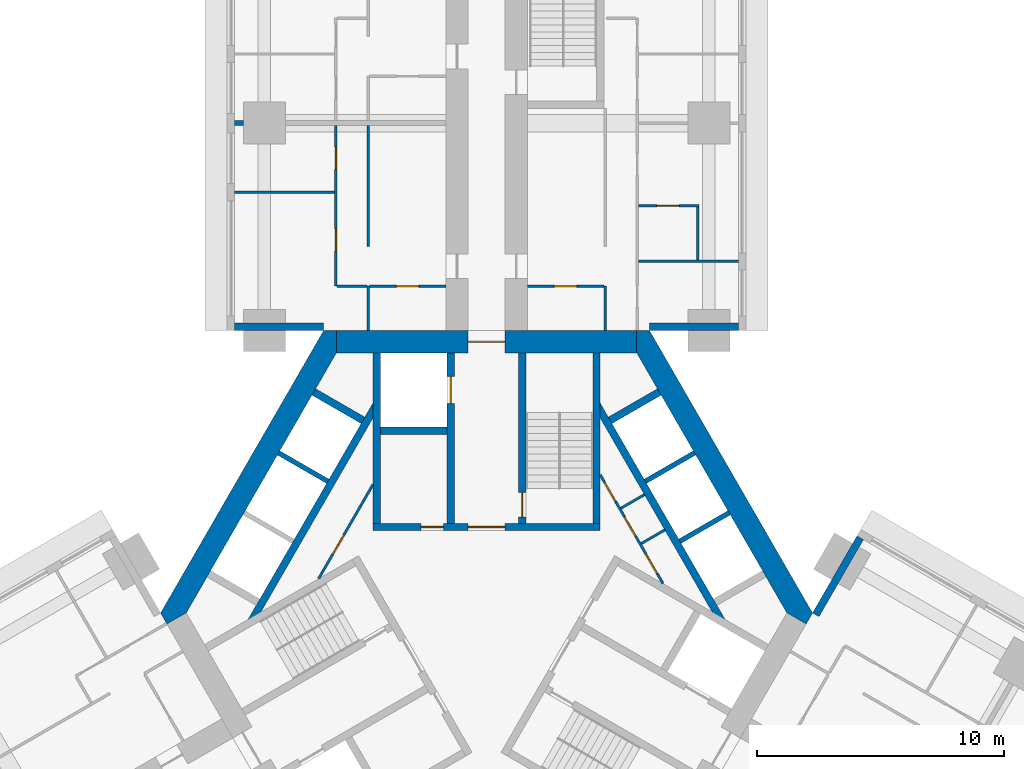
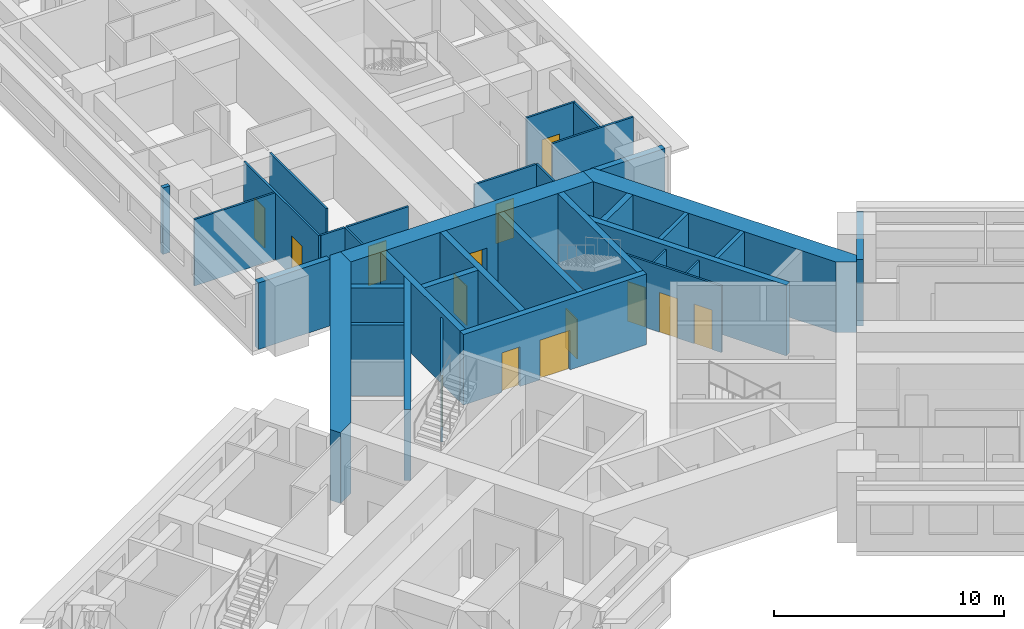
# One storey, part 8 of 16: 35 walls, 14 doors, 14 openings.
"""IFC4 building model written with IfcOpenShell, lengths in metres."""

from ifc_helpers import new_model, si_unit, direction, frame, frame_2d, origin, place, context, subcontext, project, spatial, polyline, rectangle, outline, extrude, material, layer, layer_set, type_object, element, fill, save


model = new_model("IFC4")

# Units and contexts
model_context = context("Model", 3, precision=1e-05, world=origin(), true_north=direction((0.0, 1.0)))
body_context = subcontext(model_context, "Body", "Model", "MODEL_VIEW")
ifc_project = project(units=[si_unit("LENGTHUNIT", "METRE"), si_unit("AREAUNIT", "SQUARE_METRE"), si_unit("VOLUMEUNIT", "CUBIC_METRE"), si_unit("PLANEANGLEUNIT", "RADIAN"), si_unit("MASSUNIT", "GRAM", prefix="KILO")], contexts=[model_context])

# Site, building, storey
site_placement = place(None, origin())
site = spatial("IfcSite", under=ifc_project, at=site_placement, CompositionType="ELEMENT")
building_placement = place(site_placement, origin())
building = spatial("IfcBuilding", under=site, at=building_placement, Name="Impinga Residences", CompositionType="ELEMENT")
storey_placement = place(building_placement, frame((0.0, 0.0, 48.5)))
storey = spatial("IfcBuildingStorey", under=building, at=storey_placement, Name="L11", CompositionType="ELEMENT", Elevation=48.5)

# Wall, openings, doors
ifc_material_1 = material(Name="Concrete blockwork", Category="masonry")
ifc_layer_1 = layer(ifc_material_1, 0.10009765625)
ifc_layer_set_1 = layer_set([ifc_layer_1], Name="CP1 core room partition, blockwork 100")
wall_type_1 = type_object("IfcWallType", Name="CP1 core room partition, blockwork 100", PredefinedType="PARTITIONING", material=ifc_layer_set_1)
wall_1_placement = place(storey_placement, frame((4.60009765625, 5.595703125, 0.0), z_axis=(0.0, 0.0, 1.0), x_axis=(0.499975622669, -0.866039477586, 0.0)))
wall_1 = element("IfcWall", 1, at=wall_1_placement, inside=storey, type_object=wall_type_1, Name="Core room partition, blockwork L11:CORE:mid:FP", PredefinedType="PARTITIONING", context=body_context, shape_type="SweptSolid", body=[
    extrude(rectangle(XDim=5.092041015625, YDim=0.10009765625, at=frame_2d((2.5458984375, 0.0))), origin(), (0.0, 0.0, 1.0), 3.530029296875),
])
opening_1_placement = place(wall_1_placement, frame((0.347900390625, 0.0, 0.0)))
opening_1 = element("IfcOpeningElement", 2, at=opening_1_placement, cuts=wall_1, Name="Opening D6", PredefinedType="OPENING", context=body_context, shape_type="SweptSolid", body=[
    extrude(rectangle(XDim=0.89990234375, YDim=2.10009765625, at=frame_2d((0.449951171875, 1.050048828125))), frame((0.0, 0.06005859375, 0.0), z_axis=(0.0, -1.0, 0.0), x_axis=(1.0, 0.0, 0.0)), (0.0, 0.0, 1.0), 0.1201171875),
])
opening_2_placement = place(wall_1_placement, frame((1.970947265625, 0.0, 0.0)))
opening_2 = element("IfcOpeningElement", 3, at=opening_2_placement, cuts=wall_1, Name="Opening D6", PredefinedType="OPENING", context=body_context, shape_type="SweptSolid", body=[
    extrude(rectangle(XDim=0.89990234375, YDim=2.10009765625, at=frame_2d((0.449951171875, 1.050048828125))), frame((0.0, 0.06005859375, 0.0), z_axis=(0.0, -1.0, 0.0), x_axis=(1.0, 0.0, 0.0)), (0.0, 0.0, 1.0), 0.1201171875),
])
opening_3_placement = place(wall_1_placement, frame((3.718994140625, 0.0, 0.0)))
opening_3 = element("IfcOpeningElement", 4, at=opening_3_placement, cuts=wall_1, Name="Opening D6", PredefinedType="OPENING", context=body_context, shape_type="SweptSolid", body=[
    extrude(rectangle(XDim=0.89990234375, YDim=2.10009765625, at=frame_2d((0.449951171875, 1.050048828125))), frame((0.0, 0.06005859375, 0.0), z_axis=(0.0, -1.0, 0.0), x_axis=(1.0, 0.0, 0.0)), (0.0, 0.0, 1.0), 0.1201171875),
])
ifc_material_2 = material(Name="Timber door set", Category="wood")
door_type_1 = type_object("IfcDoorType", Name="D6 riser and store door 900x2100", OperationType="SINGLE_SWING_LEFT", PredefinedType="DOOR", material=ifc_material_2)
door_1_placement = place(opening_1_placement, origin())
door_1 = element("IfcDoor", 5, at=door_1_placement, inside=storey, type_object=door_type_1, Name="Comms cupboard door", OperationType="SINGLE_SWING_LEFT", OverallHeight=2.10009765625, OverallWidth=0.89990234375, PredefinedType="DOOR", context=body_context, shape_type="SweptSolid", body=[
    extrude(rectangle(XDim=0.89990234375, YDim=2.10009765625, at=frame_2d((0.449951171875, 1.050048828125))), frame((0.0, 0.02490234375, 0.0), z_axis=(0.0, -1.0, 0.0), x_axis=(1.0, 0.0, 0.0)), (0.0, 0.0, 1.0), 0.050048828125),
])
fill(opening_1, door_1)
door_2_placement = place(opening_2_placement, origin())
door_2 = element("IfcDoor", 6, at=door_2_placement, inside=storey, type_object=door_type_1, Name="Refuse room door", OperationType="SINGLE_SWING_LEFT", OverallHeight=2.10009765625, OverallWidth=0.89990234375, PredefinedType="DOOR", context=body_context, shape_type="SweptSolid", body=[
    extrude(rectangle(XDim=0.89990234375, YDim=2.10009765625, at=frame_2d((0.449951171875, 1.050048828125))), frame((0.0, 0.02490234375, 0.0), z_axis=(0.0, -1.0, 0.0), x_axis=(1.0, 0.0, 0.0)), (0.0, 0.0, 1.0), 0.050048828125),
])
fill(opening_2, door_2)
door_3_placement = place(opening_3_placement, origin())
door_3 = element("IfcDoor", 7, at=door_3_placement, inside=storey, type_object=door_type_1, Name="Cleaners' store door", OperationType="SINGLE_SWING_RIGHT", OverallHeight=2.10009765625, OverallWidth=0.89990234375, PredefinedType="DOOR", context=body_context, shape_type="SweptSolid", body=[
    extrude(rectangle(XDim=0.89990234375, YDim=2.10009765625, at=frame_2d((0.449951171875, 1.050048828125))), frame((0.0, 0.02490234375, 0.0), z_axis=(0.0, -1.0, 0.0), x_axis=(1.0, 0.0, 0.0)), (0.0, 0.0, 1.0), 0.050048828125),
])
fill(opening_3, door_3)

# Walls
for number, where, z_axis, x_axis, name in (
    (8, (5.441162109375, 4.238525390625, 0.0), (0.0, 0.0, 1.0), (0.866008176907, 0.50002983664, 0.0), "Core room partition, blockwork L11:CORE:mid:FS1"),
    (9, (6.266357421875, 2.8095703125, 0.0), (0.0, 0.0, 1.0), (0.866008176907, 0.50002983664, 0.0), "Core room partition, blockwork L11:CORE:mid:FS2"),
):
    element("IfcWall", number, at=place(storey_placement, frame(where, z_axis=z_axis, x_axis=x_axis)), inside=storey, type_object=wall_type_1, Name=name, PredefinedType="PARTITIONING", context=body_context, shape_type="SweptSolid", body=[
        extrude(rectangle(XDim=1.10009765625, YDim=0.10009765625, at=frame_2d((0.550048828125, 0.0))), origin(), (0.0, 0.0, 1.0), 3.530029296875),
    ])

# Wall, opening, door
wall_2_placement = place(storey_placement, frame((-6.799560546875, 1.385986328125, 0.0), z_axis=(0.0, 0.0, 1.0), x_axis=(0.500001098885, 0.866024769342, 0.0)))
wall_2 = element("IfcWall", 10, at=wall_2_placement, inside=storey, type_object=wall_type_1, Name="Core room partition, blockwork L11:CORE:high:FP", PredefinedType="PARTITIONING", context=body_context, shape_type="SweptSolid", body=[
    extrude(rectangle(XDim=4.39892578125, YDim=0.10009765625, at=frame_2d((2.199462890625, 0.0))), origin(), (0.0, 0.0, 1.0), 3.530029296875),
])
opening_4_placement = place(wall_2_placement, frame((1.149658203125, 0.0, 0.0)))
opening_4 = element("IfcOpeningElement", 11, at=opening_4_placement, cuts=wall_2, Name="Opening D6", PredefinedType="OPENING", context=body_context, shape_type="SweptSolid", body=[
    extrude(rectangle(XDim=0.89990234375, YDim=2.10009765625, at=frame_2d((0.449951171875, 1.050048828125))), frame((0.0, 0.06005859375, 0.0), z_axis=(0.0, -1.0, 0.0), x_axis=(1.0, 0.0, 0.0)), (0.0, 0.0, 1.0), 0.1201171875),
])
door_4_placement = place(opening_4_placement, origin())
door_4 = element("IfcDoor", 12, at=door_4_placement, inside=storey, type_object=door_type_1, Name="Vending and ice room door", OperationType="SINGLE_SWING_LEFT", OverallHeight=2.10009765625, OverallWidth=0.89990234375, PredefinedType="DOOR", context=body_context, shape_type="SweptSolid", body=[
    extrude(rectangle(XDim=0.89990234375, YDim=2.10009765625, at=frame_2d((0.449951171875, 1.050048828125))), frame((0.0, 0.02490234375, 0.0), z_axis=(0.0, -1.0, 0.0), x_axis=(1.0, 0.0, 0.0)), (0.0, 0.0, 1.0), 0.050048828125),
])
fill(opening_4, door_4)

# Walls
ifc_material_3 = material(Name="Terracotta rainscreen on blockwork", Category="masonry")
ifc_layer_2 = layer(ifc_material_3, 0.300048828125)
ifc_layer_set_2 = layer_set([ifc_layer_2], Name="EW1 external wall, terracotta rainscreen on blockwork 300")
wall_type_2 = type_object("IfcWallType", Name="EW1 external wall, terracotta rainscreen on blockwork 300", PredefinedType="SOLIDWALL", material=ifc_layer_set_2)
for number, where, z_axis, x_axis, name in (
    (13, (-6.60009765625, 11.58154296875, 0.0), (0.0, 0.0, 1.0), (-1.0, 0.0, 0.0), "External wall EW1 L11"),
    (14, (10.199951171875, 11.58154296875, 0.0), (0.0, 0.0, 1.0), (-1.0, 0.0, 0.0), "External wall EW1 L11"),
):
    element("IfcWall", number, at=place(storey_placement, frame(where, z_axis=z_axis, x_axis=x_axis)), inside=storey, type_object=wall_type_2, Name=name, PredefinedType="SOLIDWALL", context=body_context, shape_type="SweptSolid", body=[
        extrude(rectangle(XDim=3.599853515625, YDim=0.300048828125, at=frame_2d((1.7998046875, 0.0))), origin(), (0.0, 0.0, 1.0), 3.530029296875),
    ])
wall_3_placement = place(storey_placement, frame((13.329833984375, -0.074951171875, 0.0), z_axis=(0.0, 0.0, 1.0), x_axis=(0.500012057535, 0.866018442252, 0.0)))
element("IfcWall", 15, at=wall_3_placement, inside=storey, type_object=wall_type_2, Name="External wall EW1 L11", PredefinedType="SOLIDWALL", context=body_context, shape_type="SweptSolid", body=[
    extrude(rectangle(XDim=3.60009765625, YDim=0.300048828125, at=frame_2d((1.800048828125, 0.0))), origin(), (0.0, 0.0, 1.0), 3.530029296875),
])
ifc_material_4 = material(Name="Gypsum board on steel studs", Category="steel")
ifc_layer_3 = layer(ifc_material_4, 0.10009765625)
ifc_layer_set_3 = layer_set([ifc_layer_3], Name="Gypsum board on steel studs")
wall_type_3 = type_object("IfcWallType", Name="IP1 partition 100", PredefinedType="PARTITIONING", material=ifc_layer_set_3)
wall_4_placement = place(storey_placement, frame((-4.800048828125, 11.431640625, 0.0), z_axis=(0.0, 0.0, 1.0), x_axis=(0.0, 1.0, 0.0)))
element("IfcWall", 16, at=wall_4_placement, inside=storey, type_object=wall_type_3, Name="Partition L11-NA1:DIV0", PredefinedType="PARTITIONING", context=body_context, shape_type="SweptSolid", body=[
    extrude(rectangle(XDim=1.7998046875, YDim=0.10009765625, at=frame_2d((0.89990234375, 0.0))), origin(), (0.0, 0.0, 1.0), 3.530029296875),
])
wall_5_placement = place(storey_placement, frame((-4.800048828125, 14.83154296875, 0.0), z_axis=(0.0, 0.0, 1.0), x_axis=(0.0, 1.0, 0.0)))
element("IfcWall", 17, at=wall_5_placement, inside=storey, type_object=wall_type_3, Name="Partition L11-NA1:DIV1", PredefinedType="PARTITIONING", context=body_context, shape_type="SweptSolid", body=[
    extrude(rectangle(XDim=4.89990234375, YDim=0.10009765625, at=frame_2d((2.449951171875, 0.0))), origin(), (0.0, 0.0, 1.0), 3.530029296875),
])

# Wall, openings, doors
wall_6_placement = place(storey_placement, frame((-6.10009765625, 13.2314453125, 0.0), z_axis=(0.0, 0.0, 1.0), x_axis=(0.0, 1.0, 0.0)))
wall_6 = element("IfcWall", 18, at=wall_6_placement, inside=storey, type_object=wall_type_3, Name="Partition L11-NA1:STRIP", PredefinedType="PARTITIONING", context=body_context, shape_type="SweptSolid", body=[
    extrude(rectangle(XDim=6.5, YDim=0.10009765625, at=frame_2d((3.25, 0.0))), origin(), (0.0, 0.0, 1.0), 3.530029296875),
])
opening_5_placement = place(wall_6_placement, frame((1.425048828125, 0.0, 0.0)))
opening_5 = element("IfcOpeningElement", 19, at=opening_5_placement, cuts=wall_6, Name="Opening D2", PredefinedType="OPENING", context=body_context, shape_type="SweptSolid", body=[
    extrude(rectangle(XDim=0.89990234375, YDim=2.10009765625, at=frame_2d((0.449951171875, 1.050048828125))), frame((0.0, 0.06005859375, 0.0), z_axis=(0.0, -1.0, 0.0), x_axis=(1.0, 0.0, 0.0)), (0.0, 0.0, 1.0), 0.1201171875),
])
opening_6_placement = place(wall_6_placement, frame((4.72509765625, 0.0, 0.0)))
opening_6 = element("IfcOpeningElement", 20, at=opening_6_placement, cuts=wall_6, Name="Opening D2", PredefinedType="OPENING", context=body_context, shape_type="SweptSolid", body=[
    extrude(rectangle(XDim=0.89990234375, YDim=2.10009765625, at=frame_2d((0.449951171875, 1.050048828125))), frame((0.0, 0.06005859375, 0.0), z_axis=(0.0, -1.0, 0.0), x_axis=(1.0, 0.0, 0.0)), (0.0, 0.0, 1.0), 0.1201171875),
])
door_type_2 = type_object("IfcDoorType", Name="D2 internal door 900x2100", OperationType="SINGLE_SWING_LEFT", PredefinedType="DOOR", material=ifc_material_2)
door_5_placement = place(opening_5_placement, origin())
door_5 = element("IfcDoor", 21, at=door_5_placement, inside=storey, type_object=door_type_2, Name="Apartment L11-NA1 room door", OperationType="SINGLE_SWING_LEFT", OverallHeight=2.10009765625, OverallWidth=0.89990234375, PredefinedType="DOOR", context=body_context, shape_type="SweptSolid", body=[
    extrude(rectangle(XDim=0.89990234375, YDim=2.10009765625, at=frame_2d((0.449951171875, 1.050048828125))), frame((0.0, 0.02490234375, 0.0), z_axis=(0.0, -1.0, 0.0), x_axis=(1.0, 0.0, 0.0)), (0.0, 0.0, 1.0), 0.050048828125),
])
fill(opening_5, door_5)
door_6_placement = place(opening_6_placement, origin())
door_6 = element("IfcDoor", 22, at=door_6_placement, inside=storey, type_object=door_type_2, Name="Apartment L11-NA1 room door", OperationType="SINGLE_SWING_RIGHT", OverallHeight=2.10009765625, OverallWidth=0.89990234375, PredefinedType="DOOR", context=body_context, shape_type="SweptSolid", body=[
    extrude(rectangle(XDim=0.89990234375, YDim=2.10009765625, at=frame_2d((0.449951171875, 1.050048828125))), frame((0.0, 0.02490234375, 0.0), z_axis=(0.0, -1.0, 0.0), x_axis=(1.0, 0.0, 0.0)), (0.0, 0.0, 1.0), 0.050048828125),
])
fill(opening_6, door_6)

# Wall
wall_7_placement = place(storey_placement, frame((-4.85009765625, 13.2314453125, 0.0), z_axis=(0.0, 0.0, 1.0), x_axis=(-1.0, 0.0, 0.0)))
element("IfcWall", 23, at=wall_7_placement, inside=storey, type_object=wall_type_3, Name="Partition L11-NA1:SE0", PredefinedType="PARTITIONING", context=body_context, shape_type="SweptSolid", body=[
    extrude(rectangle(XDim=1.199951171875, YDim=0.10009765625, at=frame_2d((0.60009765625, 0.0))), origin(), (0.0, 0.0, 1.0), 3.530029296875),
])

# Wall, opening, door
wall_8_placement = place(storey_placement, frame((-1.64990234375, 13.2314453125, 0.0), z_axis=(0.0, 0.0, 1.0), x_axis=(-1.0, 0.0, 0.0)))
wall_8 = element("IfcWall", 24, at=wall_8_placement, inside=storey, type_object=wall_type_3, Name="Partition L11-NA1:IB1", PredefinedType="PARTITIONING", context=body_context, shape_type="SweptSolid", body=[
    extrude(rectangle(XDim=3.10009765625, YDim=0.10009765625, at=frame_2d((1.550048828125, 0.0))), origin(), (0.0, 0.0, 1.0), 3.530029296875),
])
opening_7_placement = place(wall_8_placement, frame((1.10009765625, 0.0, 0.0)))
opening_7 = element("IfcOpeningElement", 25, at=opening_7_placement, cuts=wall_8, Name="Opening D2", PredefinedType="OPENING", context=body_context, shape_type="SweptSolid", body=[
    extrude(rectangle(XDim=0.89990234375, YDim=2.10009765625, at=frame_2d((0.449951171875, 1.050048828125))), frame((0.0, 0.06005859375, 0.0), z_axis=(0.0, -1.0, 0.0), x_axis=(1.0, 0.0, 0.0)), (0.0, 0.0, 1.0), 0.1201171875),
])
door_7_placement = place(opening_7_placement, origin())
door_7 = element("IfcDoor", 26, at=door_7_placement, inside=storey, type_object=door_type_2, Name="Apartment L11-NA1 bathroom door", OperationType="SINGLE_SWING_LEFT", OverallHeight=2.10009765625, OverallWidth=0.89990234375, PredefinedType="DOOR", context=body_context, shape_type="SweptSolid", body=[
    extrude(rectangle(XDim=0.89990234375, YDim=2.10009765625, at=frame_2d((0.449951171875, 1.050048828125))), frame((0.0, 0.02490234375, 0.0), z_axis=(0.0, -1.0, 0.0), x_axis=(1.0, 0.0, 0.0)), (0.0, 0.0, 1.0), 0.050048828125),
])
fill(opening_7, door_7)

# Walls
wall_9_placement = place(storey_placement, frame((-6.14990234375, 17.031494140625, 0.0), z_axis=(0.0, 0.0, 1.0), x_axis=(-1.0, 0.0, 0.0)))
element("IfcWall", 27, at=wall_9_placement, inside=storey, type_object=wall_type_3, Name="Partition L11-NA1:OB1", PredefinedType="PARTITIONING", context=body_context, shape_type="SweptSolid", body=[
    extrude(rectangle(XDim=4.050048828125, YDim=0.10009765625, at=frame_2d((2.02490234375, 0.0))), origin(), (0.0, 0.0, 1.0), 3.530029296875),
])
wall_10_placement = place(storey_placement, frame((4.800048828125, 11.431640625, 0.0), z_axis=(0.0, 0.0, 1.0), x_axis=(0.0, 1.0, 0.0)))
element("IfcWall", 28, at=wall_10_placement, inside=storey, type_object=wall_type_3, Name="Partition L11-NF1:DIV0", PredefinedType="PARTITIONING", context=body_context, shape_type="SweptSolid", body=[
    extrude(rectangle(XDim=1.7998046875, YDim=0.10009765625, at=frame_2d((0.89990234375, 0.0))), origin(), (0.0, 0.0, 1.0), 3.530029296875),
])

# Wall, opening, door
wall_11_placement = place(storey_placement, frame((1.64990234375, 13.2314453125, 0.0), z_axis=(0.0, 0.0, 1.0), x_axis=(1.0, 0.0, 0.0)))
wall_11 = element("IfcWall", 29, at=wall_11_placement, inside=storey, type_object=wall_type_3, Name="Partition L11-NF1:IB1", PredefinedType="PARTITIONING", context=body_context, shape_type="SweptSolid", body=[
    extrude(rectangle(XDim=3.10009765625, YDim=0.10009765625, at=frame_2d((1.550048828125, 0.0))), origin(), (0.0, 0.0, 1.0), 3.530029296875),
])
opening_8_placement = place(wall_11_placement, frame((1.10009765625, 0.0, 0.0)))
opening_8 = element("IfcOpeningElement", 30, at=opening_8_placement, cuts=wall_11, Name="Opening D2", PredefinedType="OPENING", context=body_context, shape_type="SweptSolid", body=[
    extrude(rectangle(XDim=0.89990234375, YDim=2.10009765625, at=frame_2d((0.449951171875, 1.050048828125))), frame((0.0, 0.06005859375, 0.0), z_axis=(0.0, -1.0, 0.0), x_axis=(1.0, 0.0, 0.0)), (0.0, 0.0, 1.0), 0.1201171875),
])
door_8_placement = place(opening_8_placement, origin())
door_8 = element("IfcDoor", 31, at=door_8_placement, inside=storey, type_object=door_type_2, Name="Apartment L11-NF1 bathroom door", OperationType="SINGLE_SWING_LEFT", OverallHeight=2.10009765625, OverallWidth=0.89990234375, PredefinedType="DOOR", context=body_context, shape_type="SweptSolid", body=[
    extrude(rectangle(XDim=0.89990234375, YDim=2.10009765625, at=frame_2d((0.449951171875, 1.050048828125))), frame((0.0, 0.02490234375, 0.0), z_axis=(0.0, -1.0, 0.0), x_axis=(1.0, 0.0, 0.0)), (0.0, 0.0, 1.0), 0.050048828125),
])
fill(opening_8, door_8)

# Wall
wall_12_placement = place(storey_placement, frame((6.14990234375, 14.2314453125, 0.0), z_axis=(0.0, 0.0, 1.0), x_axis=(1.0, 0.0, 0.0)))
element("IfcWall", 32, at=wall_12_placement, inside=storey, type_object=wall_type_3, Name="Partition L11-NF1:OB1", PredefinedType="PARTITIONING", context=body_context, shape_type="SweptSolid", body=[
    extrude(rectangle(XDim=4.050048828125, YDim=0.10009765625, at=frame_2d((2.02490234375, 0.0))), origin(), (0.0, 0.0, 1.0), 3.530029296875),
])

# Wall, opening, door
wall_13_placement = place(storey_placement, frame((6.14990234375, 16.4814453125, 0.0), z_axis=(0.0, 0.0, 1.0), x_axis=(1.0, 0.0, 0.0)))
wall_13 = element("IfcWall", 33, at=wall_13_placement, inside=storey, type_object=wall_type_3, Name="Partition L11-NF1:EN1", PredefinedType="PARTITIONING", context=body_context, shape_type="SweptSolid", body=[
    extrude(rectangle(XDim=2.4501953125, YDim=0.10009765625, at=frame_2d((1.22509765625, 0.0))), origin(), (0.0, 0.0, 1.0), 3.530029296875),
])
opening_9_placement = place(wall_13_placement, frame((0.75, 0.0, 0.0)))
opening_9 = element("IfcOpeningElement", 34, at=opening_9_placement, cuts=wall_13, Name="Opening D2", PredefinedType="OPENING", context=body_context, shape_type="SweptSolid", body=[
    extrude(rectangle(XDim=0.89990234375, YDim=2.10009765625, at=frame_2d((0.449951171875, 1.050048828125))), frame((0.0, 0.06005859375, 0.0), z_axis=(0.0, -1.0, 0.0), x_axis=(1.0, 0.0, 0.0)), (0.0, 0.0, 1.0), 0.1201171875),
])
door_9_placement = place(opening_9_placement, origin())
door_9 = element("IfcDoor", 35, at=door_9_placement, inside=storey, type_object=door_type_2, Name="Apartment L11-NF1 en-suite door", OperationType="SINGLE_SWING_LEFT", OverallHeight=2.10009765625, OverallWidth=0.89990234375, PredefinedType="DOOR", context=body_context, shape_type="SweptSolid", body=[
    extrude(rectangle(XDim=0.89990234375, YDim=2.10009765625, at=frame_2d((0.449951171875, 1.050048828125))), frame((0.0, 0.02490234375, 0.0), z_axis=(0.0, -1.0, 0.0), x_axis=(1.0, 0.0, 0.0)), (0.0, 0.0, 1.0), 0.050048828125),
])
fill(opening_9, door_9)

# Walls
wall_14_placement = place(storey_placement, frame((8.550048828125, 14.281494140625, 0.0), z_axis=(0.0, 0.0, 1.0), x_axis=(0.0, 1.0, 0.0)))
element("IfcWall", 36, at=wall_14_placement, inside=storey, type_object=wall_type_3, Name="Partition L11-NF1:EN2", PredefinedType="PARTITIONING", context=body_context, shape_type="SweptSolid", body=[
    extrude(rectangle(XDim=2.150146484375, YDim=0.10009765625, at=frame_2d((1.0751953125, 0.0))), origin(), (0.0, 0.0, 1.0), 3.530029296875),
])
ifc_layer_4 = layer(ifc_material_1, 0.199951171875)
ifc_layer_set_4 = layer_set([ifc_layer_4], Name="PW1 party wall between apartments 200")
wall_type_4 = type_object("IfcWallType", Name="PW1 party wall between apartments 200", PredefinedType="SOLIDWALL", material=ifc_layer_set_4)
wall_15_placement = place(storey_placement, frame((-9.85009765625, 19.83154296875, 0.0), z_axis=(0.0, 0.0, 1.0), x_axis=(-1.0, 0.0, 0.0)))
element("IfcWall", 37, at=wall_15_placement, inside=storey, type_object=wall_type_4, Name="Party wall between apartments L11-NA1:PARTYb", PredefinedType="SOLIDWALL", context=body_context, shape_type="SweptSolid", body=[
    extrude(rectangle(XDim=0.349853515625, YDim=0.199951171875, at=frame_2d((0.1748046875, 0.0))), origin(), (0.0, 0.0, 1.0), 3.530029296875),
])

# Wall, opening, door
ifc_material_5 = material(Name="Concrete C70/85", Category="concrete")
ifc_layer_5 = layer(ifc_material_5, 0.89990234375)
ifc_layer_set_5 = layer_set([ifc_layer_5], Name="Concrete C70/85")
wall_type_5 = type_object("IfcWallType", Name="SW1 core wall 900", PredefinedType="SHEAR", material=ifc_layer_set_5)
wall_16_placement = place(storey_placement, frame((-6.080322265625, 10.9814453125, 0.0), z_axis=(0.0, 0.0, 1.0), x_axis=(1.0, 0.0, 0.0)))
wall_16 = element("IfcWall", 38, at=wall_16_placement, inside=storey, type_object=wall_type_5, Name="Core wall SW1 N:FACE L11", PredefinedType="SHEAR", context=body_context, shape_type="SweptSolid", body=[
    extrude(rectangle(XDim=12.16064453125, YDim=0.89990234375, at=frame_2d((6.080322265625, 0.0))), origin(), (0.0, 0.0, 1.0), 3.75),
])
opening_10_placement = place(wall_16_placement, frame((5.330322265625, 0.0, 0.0)))
opening_10 = element("IfcOpeningElement", 39, at=opening_10_placement, cuts=wall_16, Name="Opening D4", PredefinedType="OPENING", context=body_context, shape_type="SweptSolid", body=[
    extrude(rectangle(XDim=1.5, YDim=2.10009765625, at=frame_2d((0.75, 1.050048828125))), frame((0.0, 0.4599609375, 0.0), z_axis=(0.0, -1.0, 0.0), x_axis=(1.0, 0.0, 0.0)), (0.0, 0.0, 1.0), 0.919921875),
])
door_type_3 = type_object("IfcDoorType", Name="D4 lobby door pair 1500x2100", OperationType="DOUBLE_DOOR_DOUBLE_SWING", PredefinedType="DOOR", material=ifc_material_2)
door_10_placement = place(opening_10_placement, origin())
door_10 = element("IfcDoor", 40, at=door_10_placement, inside=storey, type_object=door_type_3, Name="Lobby door N", OperationType="DOUBLE_DOOR_DOUBLE_SWING", OverallHeight=2.10009765625, OverallWidth=1.5, PredefinedType="DOOR", context=body_context, shape_type="SweptSolid", body=[
    extrude(rectangle(XDim=1.5, YDim=2.10009765625, at=frame_2d((0.75, 1.050048828125))), frame((0.0, 0.02490234375, 0.0), z_axis=(0.0, -1.0, 0.0), x_axis=(1.0, 0.0, 0.0)), (0.0, 0.0, 1.0), 0.050048828125),
])
fill(opening_10, door_10)

# Walls
wall_17_placement = place(storey_placement, origin())
element("IfcWall", 41, at=wall_17_placement, inside=storey, type_object=wall_type_5, Name="Core wall SW1 W:EXPOSED L11", PredefinedType="SHEAR", context=body_context, shape_type="SweptSolid", body=[
    extrude(outline(polyline([(13.199951171875, 0.0), (6.60009765625, 11.431640625), (6.080322265625, 11.431640625), (6.080322265625, 10.531494140625), (12.160888671875, 0.0), (12.940185546875, -0.449951171875), (13.199951171875, 0.0)])), origin(), (0.0, 0.0, 1.0), 3.75),
])
wall_18_placement = place(storey_placement, origin())
element("IfcWall", 42, at=wall_18_placement, inside=storey, type_object=wall_type_5, Name="Core wall SW1 E:EXPOSED L11", PredefinedType="SHEAR", context=body_context, shape_type="SweptSolid", body=[
    extrude(outline(polyline([(-6.60009765625, 11.431640625), (-13.199951171875, 0.0), (-12.940185546875, -0.449951171875), (-12.160888671875, 0.0), (-6.080322265625, 10.531494140625), (-6.080322265625, 11.431640625), (-6.60009765625, 11.431640625)])), origin(), (0.0, 0.0, 1.0), 3.75),
])

# Wall, openings, doors
ifc_layer_6 = layer(ifc_material_5, 0.300048828125)
ifc_layer_set_6 = layer_set([ifc_layer_6], Name="Concrete C70/85")
wall_type_6 = type_object("IfcWallType", Name="SW5 core inner wall, stairs, shafts and lobbies 300", PredefinedType="SHEAR", material=ifc_layer_set_6)
wall_19_placement = place(storey_placement, frame((-4.60009765625, 3.47998046875, 0.0), z_axis=(0.0, 0.0, 1.0), x_axis=(1.0, 0.0, 0.0)))
wall_19 = element("IfcWall", 43, at=wall_19_placement, inside=storey, type_object=wall_type_6, Name="Core wall SW5 N:ZONE L11", PredefinedType="SHEAR", context=body_context, shape_type="SweptSolid", body=[
    extrude(rectangle(XDim=9.2001953125, YDim=0.300048828125, at=frame_2d((4.60009765625, 0.0))), origin(), (0.0, 0.0, 1.0), 3.75),
])
opening_11_placement = place(wall_19_placement, frame((3.85009765625, 0.0, 0.0)))
opening_11 = element("IfcOpeningElement", 44, at=opening_11_placement, cuts=wall_19, Name="Opening D4", PredefinedType="OPENING", context=body_context, shape_type="SweptSolid", body=[
    extrude(rectangle(XDim=1.5, YDim=2.10009765625, at=frame_2d((0.75, 1.050048828125))), frame((0.0, 0.159912109375, 0.0), z_axis=(0.0, -1.0, 0.0), x_axis=(1.0, 0.0, 0.0)), (0.0, 0.0, 1.0), 0.320068359375),
])
opening_12_placement = place(wall_19_placement, frame((1.949951171875, 0.0, 0.0)))
opening_12 = element("IfcOpeningElement", 45, at=opening_12_placement, cuts=wall_19, Name="Opening D6", PredefinedType="OPENING", context=body_context, shape_type="SweptSolid", body=[
    extrude(rectangle(XDim=0.89990234375, YDim=2.10009765625, at=frame_2d((0.449951171875, 1.050048828125))), frame((0.0, 0.159912109375, 0.0), z_axis=(0.0, -1.0, 0.0), x_axis=(1.0, 0.0, 0.0)), (0.0, 0.0, 1.0), 0.320068359375),
])
door_11_placement = place(opening_11_placement, origin())
door_11 = element("IfcDoor", 46, at=door_11_placement, inside=storey, type_object=door_type_3, Name="Firefighting lobby door N", OperationType="DOUBLE_DOOR_DOUBLE_SWING", OverallHeight=2.10009765625, OverallWidth=1.5, PredefinedType="DOOR", context=body_context, shape_type="SweptSolid", body=[
    extrude(rectangle(XDim=1.5, YDim=2.10009765625, at=frame_2d((0.75, 1.050048828125))), frame((0.0, 0.02490234375, 0.0), z_axis=(0.0, -1.0, 0.0), x_axis=(1.0, 0.0, 0.0)), (0.0, 0.0, 1.0), 0.050048828125),
])
fill(opening_11, door_11)
door_12_placement = place(opening_12_placement, origin())
door_12 = element("IfcDoor", 47, at=door_12_placement, inside=storey, type_object=door_type_1, Name="Riser door N", OperationType="SINGLE_SWING_LEFT", OverallHeight=2.10009765625, OverallWidth=0.89990234375, PredefinedType="DOOR", context=body_context, shape_type="SweptSolid", body=[
    extrude(rectangle(XDim=0.89990234375, YDim=2.10009765625, at=frame_2d((0.449951171875, 1.050048828125))), frame((0.0, 0.02490234375, 0.0), z_axis=(0.0, -1.0, 0.0), x_axis=(1.0, 0.0, 0.0)), (0.0, 0.0, 1.0), 0.050048828125),
])
fill(opening_12, door_12)

# Wall, opening, door
wall_20_placement = place(storey_placement, frame((1.449951171875, 3.6298828125, 0.0), z_axis=(0.0, 0.0, 1.0), x_axis=(0.0, 1.0, 0.0)))
wall_20 = element("IfcWall", 48, at=wall_20_placement, inside=storey, type_object=wall_type_6, Name="Core wall SW5 N:ST-IN L11", PredefinedType="SHEAR", context=body_context, shape_type="SweptSolid", body=[
    extrude(rectangle(XDim=6.901611328125, YDim=0.300048828125, at=frame_2d((3.45068359375, 0.0))), origin(), (0.0, 0.0, 1.0), 3.75),
])
opening_13_placement = place(wall_20_placement, frame((0.25, 0.0, 0.0)))
opening_13 = element("IfcOpeningElement", 49, at=opening_13_placement, cuts=wall_20, Name="Opening D5", PredefinedType="OPENING", context=body_context, shape_type="SweptSolid", body=[
    extrude(rectangle(XDim=1.0, YDim=2.10009765625, at=frame_2d((0.5, 1.050048828125))), frame((0.0, 0.159912109375, 0.0), z_axis=(0.0, -1.0, 0.0), x_axis=(1.0, 0.0, 0.0)), (0.0, 0.0, 1.0), 0.320068359375),
])
door_type_4 = type_object("IfcDoorType", Name="D5 stair door 1000x2100", OperationType="SINGLE_SWING_LEFT", PredefinedType="DOOR", material=ifc_material_2)
door_13_placement = place(opening_13_placement, origin())
door_13 = element("IfcDoor", 50, at=door_13_placement, inside=storey, type_object=door_type_4, Name="Stair door N", OperationType="SINGLE_SWING_LEFT", OverallHeight=2.10009765625, OverallWidth=1.0, PredefinedType="DOOR", context=body_context, shape_type="SweptSolid", body=[
    extrude(rectangle(XDim=1.0, YDim=2.10009765625, at=frame_2d((0.5, 1.050048828125))), frame((0.0, 0.02490234375, 0.0), z_axis=(0.0, -1.0, 0.0), x_axis=(1.0, 0.0, 0.0)), (0.0, 0.0, 1.0), 0.050048828125),
])
fill(opening_13, door_13)

# Wall
wall_21_placement = place(storey_placement, frame((4.449951171875, 3.6298828125, 0.0), z_axis=(0.0, 0.0, 1.0), x_axis=(0.0, 1.0, 0.0)))
element("IfcWall", 51, at=wall_21_placement, inside=storey, type_object=wall_type_6, Name="Core wall SW5 N:ST-OUT L11", PredefinedType="SHEAR", context=body_context, shape_type="SweptSolid", body=[
    extrude(rectangle(XDim=6.901611328125, YDim=0.300048828125, at=frame_2d((3.45068359375, 0.0))), origin(), (0.0, 0.0, 1.0), 3.75),
])

# Wall, opening, door
wall_22_placement = place(storey_placement, frame((-1.449951171875, 3.6298828125, 0.0), z_axis=(0.0, 0.0, 1.0), x_axis=(0.0, 1.0, 0.0)))
wall_22 = element("IfcWall", 52, at=wall_22_placement, inside=storey, type_object=wall_type_6, Name="Core wall SW5 N:FF-IN L11", PredefinedType="SHEAR", context=body_context, shape_type="SweptSolid", body=[
    extrude(rectangle(XDim=6.901611328125, YDim=0.300048828125, at=frame_2d((3.45068359375, 0.0))), origin(), (0.0, 0.0, 1.0), 3.75),
])
opening_14_placement = place(wall_22_placement, frame((4.85009765625, 0.0, 0.0)))
opening_14 = element("IfcOpeningElement", 53, at=opening_14_placement, cuts=wall_22, Name="Opening LD2", PredefinedType="OPENING", context=body_context, shape_type="SweptSolid", body=[
    extrude(rectangle(XDim=1.10009765625, YDim=2.10009765625, at=frame_2d((0.550048828125, 1.050048828125))), frame((0.0, 0.159912109375, 0.0), z_axis=(0.0, -1.0, 0.0), x_axis=(1.0, 0.0, 0.0)), (0.0, 0.0, 1.0), 0.320068359375),
])
ifc_material_6 = material(Name="Steel lift landing door", Category="steel")
door_type_5 = type_object("IfcDoorType", Name="LD2 firefighting lift landing door 1100x2100", OperationType="DOUBLE_DOOR_SLIDING", PredefinedType="DOOR", material=ifc_material_6)
door_14_placement = place(opening_14_placement, origin())
door_14 = element("IfcDoor", 54, at=door_14_placement, inside=storey, type_object=door_type_5, Name="Firefighting lift landing door F1", OperationType="DOUBLE_DOOR_SLIDING", OverallHeight=2.10009765625, OverallWidth=1.10009765625, PredefinedType="DOOR", context=body_context, shape_type="SweptSolid", body=[
    extrude(rectangle(XDim=1.10009765625, YDim=2.10009765625, at=frame_2d((0.550048828125, 1.050048828125))), frame((0.0, 0.02490234375, 0.0), z_axis=(0.0, -1.0, 0.0), x_axis=(1.0, 0.0, 0.0)), (0.0, 0.0, 1.0), 0.050048828125),
])
fill(opening_14, door_14)

# Walls
wall_23_placement = place(storey_placement, frame((-4.449951171875, 3.6298828125, 0.0), z_axis=(0.0, 0.0, 1.0), x_axis=(0.0, 1.0, 0.0)))
element("IfcWall", 55, at=wall_23_placement, inside=storey, type_object=wall_type_6, Name="Core wall SW5 N:FF-OUT L11", PredefinedType="SHEAR", context=body_context, shape_type="SweptSolid", body=[
    extrude(rectangle(XDim=6.901611328125, YDim=0.300048828125, at=frame_2d((3.45068359375, 0.0))), origin(), (0.0, 0.0, 1.0), 3.75),
])
wall_24_placement = place(storey_placement, frame((-4.300048828125, 7.3798828125, 0.0), z_axis=(0.0, 0.0, 1.0), x_axis=(1.0, 0.0, 0.0)))
element("IfcWall", 56, at=wall_24_placement, inside=storey, type_object=wall_type_6, Name="Core wall SW5 N:FF-RS L11", PredefinedType="SHEAR", context=body_context, shape_type="SweptSolid", body=[
    extrude(rectangle(XDim=2.699951171875, YDim=0.300048828125, at=frame_2d((1.35009765625, 0.0))), origin(), (0.0, 0.0, 1.0), 3.75),
])
wall_25_placement = place(storey_placement, frame((4.449951171875, 8.455322265625, 0.0), z_axis=(0.0, 0.0, 1.0), x_axis=(0.500002290144, -0.866024081565, 0.0)))
element("IfcWall", 57, at=wall_25_placement, inside=storey, type_object=wall_type_6, Name="Core wall SW5 W:BANK-FRONT L11", PredefinedType="SHEAR", context=body_context, shape_type="SweptSolid", body=[
    extrude(rectangle(XDim=10.1953125, YDim=0.300048828125, at=frame_2d((5.09765625, 0.0))), origin(), (0.0, 0.0, 1.0), 3.75),
])
wall_26_placement = place(storey_placement, frame((5.003662109375, 7.79638671875, 0.0), z_axis=(0.0, 0.0, 1.0), x_axis=(0.866053019151, 0.499952165731, 0.0)))
element("IfcWall", 58, at=wall_26_placement, inside=storey, type_object=wall_type_6, Name="Core wall SW5 W:BANK-L L11", PredefinedType="SHEAR", context=body_context, shape_type="SweptSolid", body=[
    extrude(rectangle(XDim=2.300048828125, YDim=0.300048828125, at=frame_2d((1.14990234375, 0.0))), origin(), (0.0, 0.0, 1.0), 3.75),
])
wall_27_placement = place(storey_placement, frame((-9.547607421875, -0.3740234375, 0.0), z_axis=(0.0, 0.0, 1.0), x_axis=(0.500002290144, 0.866024081565, 0.0)))
element("IfcWall", 59, at=wall_27_placement, inside=storey, type_object=wall_type_6, Name="Core wall SW5 E:BANK-FRONT L11", PredefinedType="SHEAR", context=body_context, shape_type="SweptSolid", body=[
    extrude(rectangle(XDim=10.1953125, YDim=0.300048828125, at=frame_2d((5.09765625, 0.0))), origin(), (0.0, 0.0, 1.0), 3.75),
])
wall_28_placement = place(storey_placement, frame((-5.003662109375, 7.79638671875, 0.0), z_axis=(0.0, 0.0, 1.0), x_axis=(-0.866053019151, 0.499952165731, 0.0)))
element("IfcWall", 60, at=wall_28_placement, inside=storey, type_object=wall_type_6, Name="Core wall SW5 E:BANK-R L11", PredefinedType="SHEAR", context=body_context, shape_type="SweptSolid", body=[
    extrude(rectangle(XDim=2.300048828125, YDim=0.300048828125, at=frame_2d((1.14990234375, 0.0))), origin(), (0.0, 0.0, 1.0), 3.75),
])
ifc_layer_7 = layer(ifc_material_5, 0.199951171875)
ifc_layer_set_7 = layer_set([ifc_layer_7], Name="Concrete C70/85")
wall_type_7 = type_object("IfcWallType", Name="SW6 lift shaft divider wall 200", PredefinedType="SHEAR", material=ifc_layer_set_7)
for number, where, z_axis, x_axis, name in (
    (61, (6.4287109375, 5.328125, 0.0), (0.0, 0.0, 1.0), (0.866007057882, 0.500031774688, 0.0), "Core wall SW6 W:BANK-D1 L11"),
    (62, (7.82861328125, 2.9033203125, 0.0), (0.0, 0.0, 1.0), (0.866053019151, 0.499952165731, 0.0), "Core wall SW6 W:BANK-D2 L11"),
    (63, (-6.4287109375, 5.328125, 0.0), (0.0, 0.0, 1.0), (-0.866007057882, 0.500031774688, 0.0), "Core wall SW6 E:BANK-D2 L11"),
):
    element("IfcWall", number, at=place(storey_placement, frame(where, z_axis=z_axis, x_axis=x_axis)), inside=storey, type_object=wall_type_7, Name=name, PredefinedType="SHEAR", context=body_context, shape_type="SweptSolid", body=[
        extrude(rectangle(XDim=2.300048828125, YDim=0.199951171875, at=frame_2d((1.14990234375, 0.0))), origin(), (0.0, 0.0, 1.0), 3.75),
    ])

save(model, "model.ifc")
